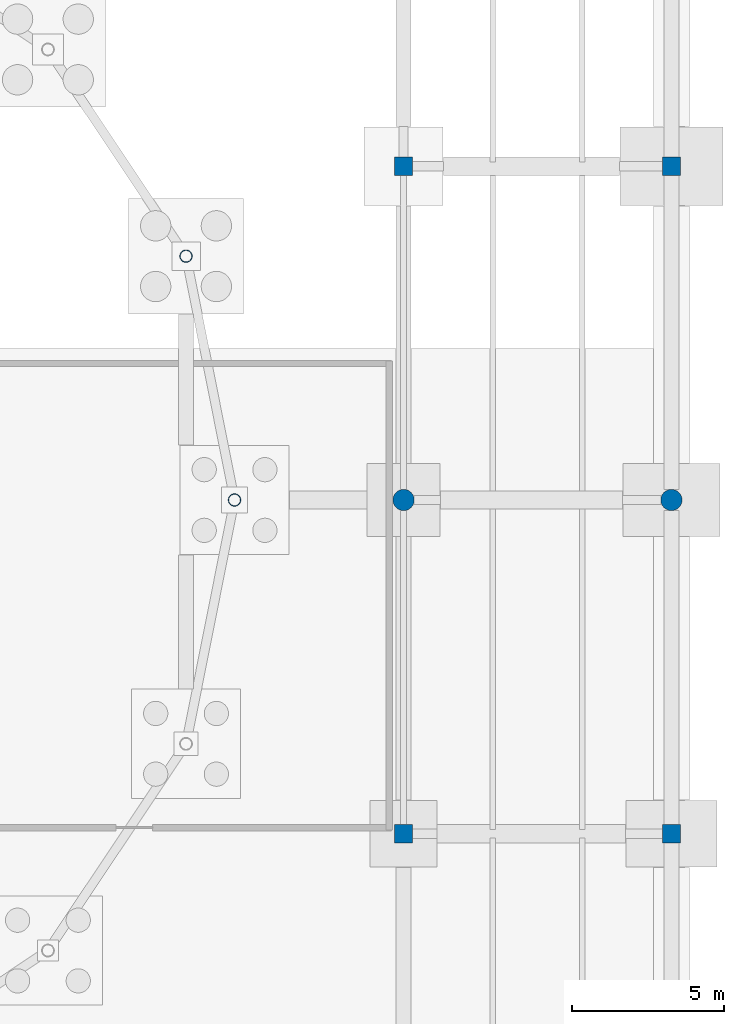
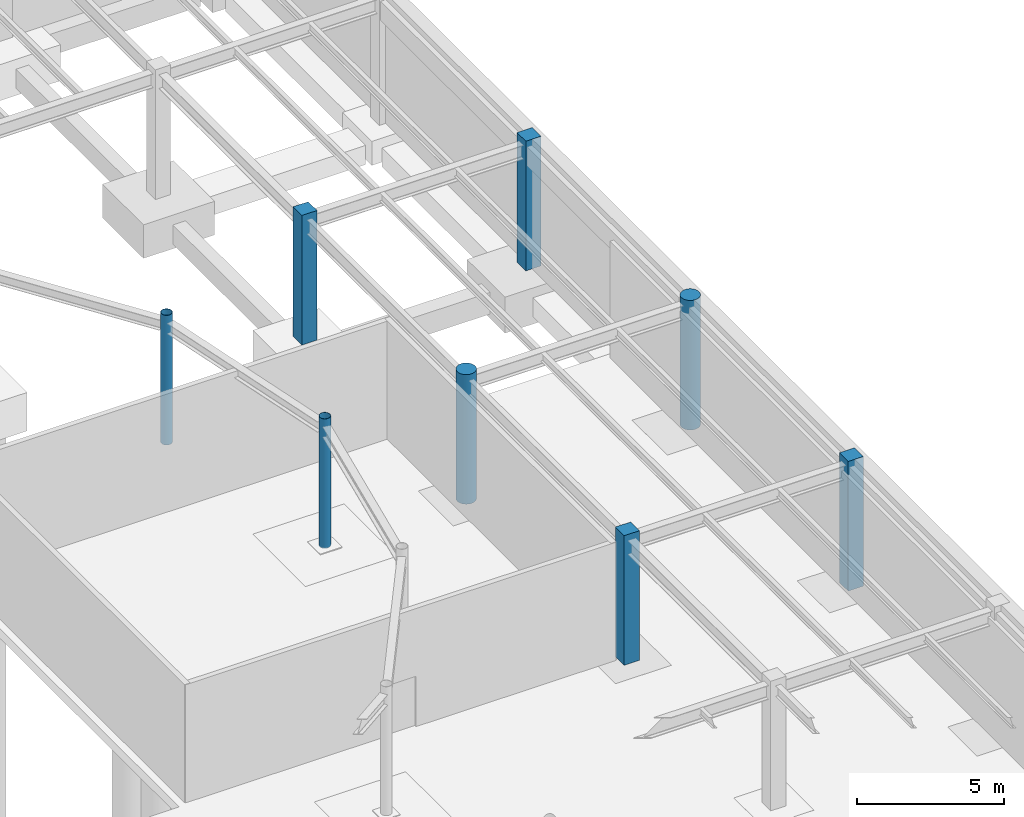
# One storey, part 28 of 50: 8 columns.
"""IFC4 building model written with IfcOpenShell, lengths in metres."""

from ifc_helpers import new_model, si_unit, direction, frame, origin, origin_2d, place, context, subcontext, project, spatial, rectangle, circle, hollow_circle, extrude, material, material_profile, profile_set, type_object, element, save


model = new_model("IFC4")

# Units and contexts
model_context = context("Model", 3, precision=1e-05, world=origin(), true_north=direction((0.0, 1.0)))
body_context = subcontext(model_context, "Body", "Model", "MODEL_VIEW")
ifc_project = project(units=[si_unit("LENGTHUNIT", "METRE"), si_unit("AREAUNIT", "SQUARE_METRE"), si_unit("VOLUMEUNIT", "CUBIC_METRE"), si_unit("PLANEANGLEUNIT", "RADIAN"), si_unit("MASSUNIT", "GRAM", prefix="KILO")], contexts=[model_context])

# Site, building, storey
site_placement = place(None, origin())
site = spatial("IfcSite", under=ifc_project, at=site_placement, CompositionType="ELEMENT")
building_placement = place(site_placement, origin())
building = spatial("IfcBuilding", under=site, at=building_placement, Name="Yeouljin Market Hall", CompositionType="ELEMENT")
storey_placement = place(building_placement, frame((0.0, 0.0, -5.39990234375)))
storey = spatial("IfcBuildingStorey", under=building, at=storey_placement, Name="B1", CompositionType="ELEMENT", Elevation=-5.39990234375)

# Columns
ifc_material_1 = material(Name="Steel SM355", Category="steel")
ifc_material_profile_1 = material_profile(ifc_material_1, hollow_circle(Radius=0.203125, WallThickness=0.011962890625, at=origin_2d()), Name="CHS-406.4x12")
ifc_profile_set_1 = profile_set([ifc_material_profile_1], Name="Steel SM355")
column_type_1 = type_object("IfcColumnType", Name="Col_CHS-406.4x12", PredefinedType="COLUMN", material=ifc_profile_set_1)
for number, where, z_axis, x_axis, name in (
    (1, (162.0, 57.0, 0.0), (0.0, 0.0, 1.0), (1.0, 0.0, 0.0), "Column AP-E08 (B1)"),
    (2, (160.401611328125, 65.036376953125, 0.0), (0.0, 0.0, 1.0), (1.0, 0.0, 0.0), "Column AP-E10 (B1)"),
):
    element("IfcColumn", number, at=place(storey_placement, frame(where, z_axis=z_axis, x_axis=x_axis)), inside=storey, type_object=column_type_1, Name=name, PredefinedType="COLUMN", context=body_context, shape_type="SweptSolid", body=[
        extrude(hollow_circle(Radius=0.203125, WallThickness=0.011962890625, at=origin_2d()), origin(), (0.0, 0.0, 1.0), 5.39990234375),
    ])
ifc_material_2 = material(Name="Concrete C35/45", Category="concrete")
ifc_material_profile_2 = material_profile(ifc_material_2, rectangle(XDim=0.60009765625, YDim=0.60009765625, at=origin_2d()), Name="RC-600x600")
ifc_profile_set_2 = profile_set([ifc_material_profile_2], Name="Concrete C35/45")
column_type_2 = type_object("IfcColumnType", Name="Col_RC-600x600", PredefinedType="COLUMN", material=ifc_profile_set_2)
for number, where, z_axis, x_axis, name in (
    (3, (167.570068359375, 46.0, 0.0), (0.0, 0.0, 1.0), (1.0, 0.0, 0.0), "Column G-20-05 (B1)"),
    (4, (167.570068359375, 68.0, 0.0), (0.0, 0.0, 1.0), (1.0, 0.0, 0.0), "Column G-20-07 (B1)"),
    (5, (176.39990234375, 46.0, 0.0), (0.0, 0.0, 1.0), (1.0, 0.0, 0.0), "Column G-21-05 (B1)"),
    (6, (176.39990234375, 68.0, 0.0), (0.0, 0.0, 1.0), (1.0, 0.0, 0.0), "Column G-21-07 (B1)"),
):
    element("IfcColumn", number, at=place(storey_placement, frame(where, z_axis=z_axis, x_axis=x_axis)), inside=storey, type_object=column_type_2, Name=name, PredefinedType="COLUMN", context=body_context, shape_type="SweptSolid", body=[
        extrude(rectangle(XDim=0.60009765625, YDim=0.60009765625, at=origin_2d()), origin(), (0.0, 0.0, 1.0), 5.39990234375),
    ])
ifc_material_3 = material(Name="Concrete C35/45", Category="concrete")
ifc_material_profile_3 = material_profile(ifc_material_3, circle(Radius=0.35009765625, at=origin_2d()), Name="RC-D700")
ifc_profile_set_3 = profile_set([ifc_material_profile_3], Name="Concrete C35/45")
column_type_3 = type_object("IfcColumnType", Name="Col_RC-D700", PredefinedType="COLUMN", material=ifc_profile_set_3)
for number, where, z_axis, x_axis, name in (
    (7, (167.570068359375, 57.0, 0.0), (0.0, 0.0, 1.0), (1.0, 0.0, 0.0), "Column G-20-06 (B1)"),
    (8, (176.39990234375, 57.0, 0.0), (0.0, 0.0, 1.0), (1.0, 0.0, 0.0), "Column G-21-06 (B1)"),
):
    element("IfcColumn", number, at=place(storey_placement, frame(where, z_axis=z_axis, x_axis=x_axis)), inside=storey, type_object=column_type_3, Name=name, PredefinedType="COLUMN", context=body_context, shape_type="SweptSolid", body=[
        extrude(circle(Radius=0.35009765625, at=origin_2d()), origin(), (0.0, 0.0, 1.0), 5.39990234375),
    ])

save(model, "model.ifc")
